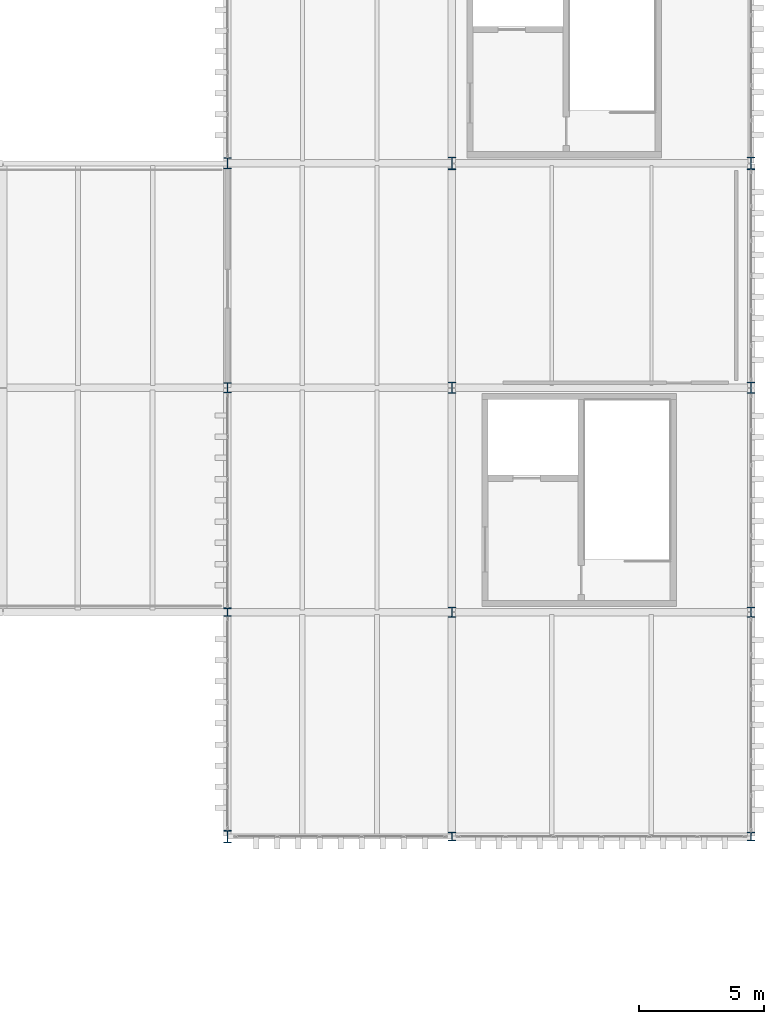
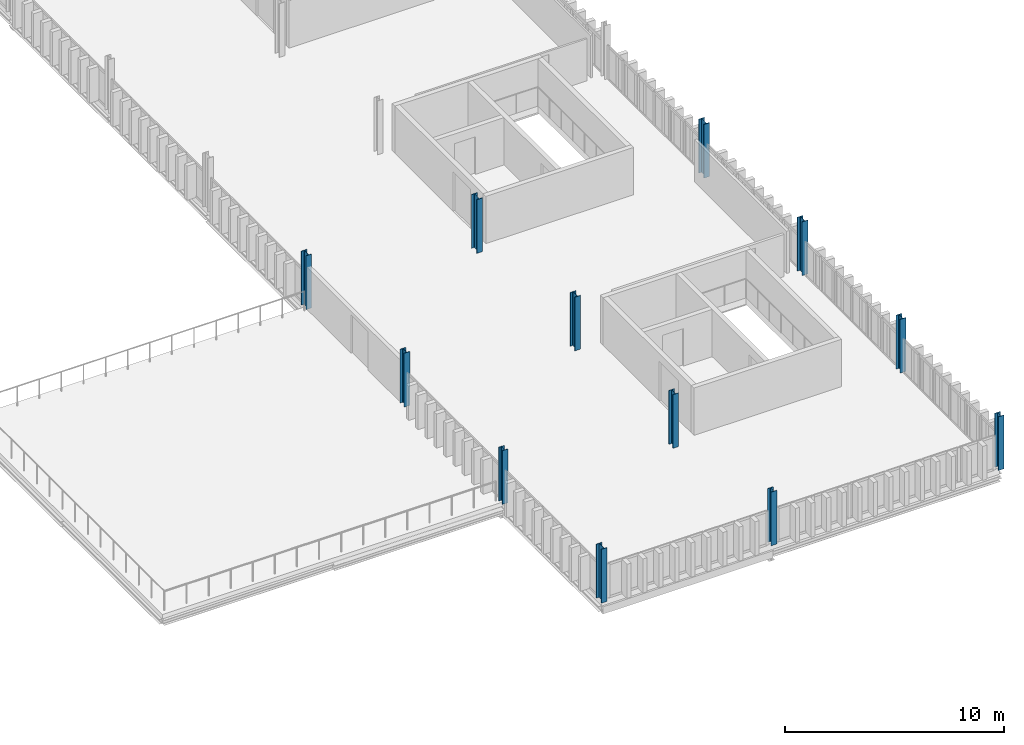
# One storey, part 5 of 58: 12 columns.
"""IFC4 building model written with IfcOpenShell, lengths in metres."""

import ifcopenshell
import ifcopenshell.guid

model = None  # the IFC model being written
_history = None  # IfcOwnerHistory: only IFC2X3 demands one
_inside = {}  # id of a spatial element -> (the spatial element, [elements in it])
_under = {}  # id of a project, library or spatial element -> (it, [spatial elements below it])
_declared = {}  # id of a project -> (the project, [libraries it declares])
_typed = {}  # id of a type object -> (the type object, [elements of that type])
_made_of = {}  # id of a material, layer set ... -> (it, [elements and type objects made of it])


def new_model(schema):
    """Start an empty IFC model of exactly this schema.

    Asked for "IFC4X3", IfcOpenShell would pick the latest addendum, in which some entities
    have other attributes; the version numbers below select the first issue.
    IFC2X3 requires an IfcOwnerHistory on every rooted entity: one is made here for all.
    """
    global model, _history
    if schema == "IFC4X3":
        model = ifcopenshell.file(schema_version=(4, 3, 0, 0))
    else:
        model = ifcopenshell.file(schema=schema)
    _inside.clear()
    _under.clear()
    _declared.clear()
    _typed.clear()
    _made_of.clear()
    _history = None
    if model.schema == "IFC2X3":
        org = make("IfcOrganization", Name="unknown")
        user = make(
            "IfcPersonAndOrganization",
            ThePerson=make("IfcPerson", FamilyName="unknown"),
            TheOrganization=org,
        )
        app = make(
            "IfcApplication",
            ApplicationDeveloper=org,
            Version="unknown",
            ApplicationFullName="unknown",
            ApplicationIdentifier="unknown",
        )
        _history = make(
            "IfcOwnerHistory",
            OwningUser=user,
            OwningApplication=app,
            ChangeAction="ADDED",
            CreationDate=0,
        )
    return model


def make(cls, **values):
    """One entity of the class cls with the attributes given. An attribute that is None is left unset."""
    return model.create_entity(
        cls, **{name: value for name, value in values.items() if value is not None}
    )


def rooted(cls, **values):
    """An entity with a GlobalId (a new one), such as an element, a storey or a relation."""
    return make(cls, GlobalId=ifcopenshell.guid.new(), OwnerHistory=_history, **values)


def si_unit(unit_type, name, prefix=None):
    """IfcSIUnit, for example si_unit("LENGTHUNIT", "METRE", prefix="MILLI")."""
    return make("IfcSIUnit", UnitType=unit_type, Prefix=prefix, Name=name)


def assignment(units):
    """IfcUnitAssignment: the units of a project."""
    return None if units is None else make("IfcUnitAssignment", Units=units)


def point(xyz):
    """IfcCartesianPoint."""
    return None if xyz is None else make("IfcCartesianPoint", Coordinates=xyz)


def direction(xyz):
    """IfcDirection."""
    return None if xyz is None else make("IfcDirection", DirectionRatios=xyz)


def frame(location, z_axis=None, x_axis=None):
    """IfcAxis2Placement3D, a coordinate frame: its origin and axes. An axis left out is left unset."""
    return make(
        "IfcAxis2Placement3D",
        Location=point(location),
        Axis=direction(z_axis),
        RefDirection=direction(x_axis),
    )


def frame_2d(location, x_axis=None):
    """IfcAxis2Placement2D, a coordinate frame in the plane: its origin and x axis."""
    return make(
        "IfcAxis2Placement2D", Location=point(location), RefDirection=direction(x_axis)
    )


def origin():
    """The frame at (0, 0, 0) with its axes left unset."""
    return frame((0.0, 0.0, 0.0))


def origin_2d():
    """The frame at (0, 0) in the plane with its x axis left unset."""
    return frame_2d((0.0, 0.0))


def place(relative_to, where):
    """IfcLocalPlacement: puts the frame where relative to a parent placement (None: the world)."""
    return make(
        "IfcLocalPlacement", PlacementRelTo=relative_to, RelativePlacement=where
    )


def context(
    kind, dimensions, precision=None, world=None, true_north=None, identifier=None
):
    """IfcGeometricRepresentationContext, for example the 3D "Model" context."""
    return make(
        "IfcGeometricRepresentationContext",
        ContextIdentifier=identifier,
        ContextType=kind,
        CoordinateSpaceDimension=dimensions,
        Precision=precision,
        WorldCoordinateSystem=world,
        TrueNorth=true_north,
    )


def subcontext(parent, identifier, kind, view, scale=None):
    """IfcGeometricRepresentationSubContext, for example "Body" below "Model"."""
    return make(
        "IfcGeometricRepresentationSubContext",
        ContextIdentifier=identifier,
        ContextType=kind,
        ParentContext=parent,
        TargetScale=scale,
        TargetView=view,
    )


def project(units=None, contexts=None):
    """IfcProject with its units and contexts."""
    return rooted(
        "IfcProject",
        Name="project",
        RepresentationContexts=contexts,
        UnitsInContext=assignment(units),
    )


def spatial(cls, under=None, at=None, **own):
    """A site, building, storey or space (cls), placed at a placement, below another one or the project."""
    s = rooted(cls, ObjectPlacement=at, **own)
    if under is not None:
        _under.setdefault(under.id(), (under, []))[1].append(s)
    return s


def profile(cls, at=None, kind="AREA", **sizes):
    """A parametric profile (cls). Its sizes go by their IFC names, for example OverallWidth=200.0."""
    return make(cls, ProfileType=kind, Position=at, **sizes)


def i_section(**sizes):
    """IfcIShapeProfileDef."""
    return profile("IfcIShapeProfileDef", **sizes)


def extrude(swept, where, along, depth):
    """IfcExtrudedAreaSolid: the profile swept, set in the frame where, extruded along a direction by depth."""
    return make(
        "IfcExtrudedAreaSolid",
        SweptArea=swept,
        Position=where,
        ExtrudedDirection=direction(along),
        Depth=depth,
    )


def shape(context_of_items, identifier, shape_type, items):
    """IfcShapeRepresentation: the items that make up one representation, for example the "Body"."""
    return make(
        "IfcShapeRepresentation",
        ContextOfItems=context_of_items,
        RepresentationIdentifier=identifier,
        RepresentationType=shape_type,
        Items=items,
    )


def material(Name=None, Category=None):
    """IfcMaterial."""
    return make("IfcMaterial", Name=Name, Category=Category)


def material_profile(
    of_material, cross_section, Name=None, Category=None, Priority=None
):
    """IfcMaterialProfile: a cross section and its material."""
    return make(
        "IfcMaterialProfile",
        Name=Name,
        Material=of_material,
        Profile=cross_section,
        Priority=Priority,
        Category=Category,
    )


def profile_set(profiles, Name=None, composite=None):
    """IfcMaterialProfileSet."""
    return make(
        "IfcMaterialProfileSet",
        Name=Name,
        MaterialProfiles=profiles,
        CompositeProfile=composite,
    )


def made_of(thing, what):
    """Note that an element or type object is made of a material, layer set ...; save() writes the relation."""
    if what is not None:
        _made_of.setdefault(what.id(), (what, []))[1].append(thing)
    return thing


def type_object(cls, material=None, **own):
    """A type object (cls), such as IfcWallType, which elements share."""
    return made_of(rooted(cls, **own), material)


def element(
    cls,
    number,
    at=None,
    inside=None,
    cuts=None,
    type_object=None,
    material=None,
    context=None,
    identifier="Body",
    shape_type=None,
    held_by="IfcProductDefinitionShape",
    body=None,
    shapes=None,
    **own,
):
    """One element of the class cls, such as IfcWall. Its Tag is "e" and its number.

    at: its placement. inside: the storey or other place that contains it. cuts: it is an
    opening in that element (IfcRelVoidsElement). A single representation is given by context,
    identifier, shape_type and body (its items); several are given by shapes. held_by: the class
    of the entity that holds the representations. save() writes the other relations.
    """
    e = rooted(cls, Tag="e%d" % number, ObjectPlacement=at, **own)
    if body is not None:
        shapes = [shape(context, identifier, shape_type, body)]
    if shapes is not None:
        e.Representation = make(held_by, Representations=shapes)
    if inside is not None:
        _inside.setdefault(inside.id(), (inside, []))[1].append(e)
    if cuts is not None:
        rooted(
            "IfcRelVoidsElement", RelatingBuildingElement=cuts, RelatedOpeningElement=e
        )
    if type_object is not None:
        _typed.setdefault(type_object.id(), (type_object, []))[1].append(e)
    return made_of(e, material)


def aggregate(whole, parts):
    """IfcRelAggregates: a whole, such as a stair, and the parts it consists of."""
    return rooted("IfcRelAggregates", RelatingObject=whole, RelatedObjects=parts)


def save(model, path):
    """Write the relations noted so far, then the file.

    IfcRelAggregates (storeys below a building ...), IfcRelContainedInSpatialStructure (elements
    in a storey), IfcRelDefinesByType, IfcRelAssociatesMaterial and IfcRelDeclares: one each for
    every whole, place, type object, material and project.
    """
    for whole, parts in _under.values():
        aggregate(whole, parts)
    for where, things in _inside.values():
        rooted(
            "IfcRelContainedInSpatialStructure",
            RelatedElements=things,
            RelatingStructure=where,
        )
    for kind, things in _typed.values():
        rooted("IfcRelDefinesByType", RelatedObjects=things, RelatingType=kind)
    for what, things in _made_of.values():
        rooted("IfcRelAssociatesMaterial", RelatedObjects=things, RelatingMaterial=what)
    for by, libraries in _declared.values():
        rooted("IfcRelDeclares", RelatingContext=by, RelatedDefinitions=libraries)
    model.write(path)


model = new_model("IFC4")

# Units and contexts
model_context = context("Model", 3, precision=1e-05, world=origin(), true_north=direction((0.0, 1.0)))
body_context = subcontext(model_context, "Body", "Model", "MODEL_VIEW")
ifc_project = project(units=[si_unit("LENGTHUNIT", "METRE"), si_unit("AREAUNIT", "SQUARE_METRE"), si_unit("VOLUMEUNIT", "CUBIC_METRE"), si_unit("PLANEANGLEUNIT", "RADIAN"), si_unit("MASSUNIT", "GRAM", prefix="KILO")], contexts=[model_context])

# Site, building, storey
site_placement = place(None, origin())
site = spatial("IfcSite", under=ifc_project, at=site_placement, CompositionType="ELEMENT")
building_placement = place(site_placement, origin())
building = spatial("IfcBuilding", under=site, at=building_placement, Name="Barlavento Convention Centre", CompositionType="ELEMENT")
storey_placement = place(building_placement, frame((0.0, 0.0, 26.800048828125)))
storey = spatial("IfcBuildingStorey", under=building, at=storey_placement, Name="L05", CompositionType="ELEMENT", Elevation=26.800048828125)

# Columns
ifc_material = material(Name="Steel S355", Category="steel")
ifc_material_profile_1 = material_profile(ifc_material, i_section(OverallWidth=0.300048828125, OverallDepth=0.340087890625, WebThickness=0.011962890625, FlangeThickness=0.021484375, FilletRadius=0.027099609375, at=origin_2d()), Name="HEB 340")
ifc_profile_set_1 = profile_set([ifc_material_profile_1], Name="Steel S355")
column_type_1 = type_object("IfcColumnType", Name="STR-COL-HEB340", PredefinedType="COLUMN", material=ifc_profile_set_1)
for number, where, z_axis, x_axis, name in (
    (1, (171.0, 36.0, 0.0), (0.0, 0.0, 1.0), (1.0, 0.0, 0.0), "L05 column SC12"),
    (2, (180.0, 27.0, 0.0), (0.0, 0.0, 1.0), (1.0, 0.0, 0.0), "L05 column SC12"),
    (3, (192.0, 27.0, 0.0), (0.0, 0.0, 1.0), (1.0, 0.0, 0.0), "L05 column SC12"),
):
    element("IfcColumn", number, at=place(storey_placement, frame(where, z_axis=z_axis, x_axis=x_axis)), inside=storey, type_object=column_type_1, Name=name, PredefinedType="COLUMN", context=body_context, shape_type="SweptSolid", body=[
        extrude(i_section(OverallWidth=0.300048828125, OverallDepth=0.340087890625, WebThickness=0.011962890625, FlangeThickness=0.021484375, FilletRadius=0.027099609375, at=origin_2d()), origin(), (0.0, 0.0, 1.0), 3.0),
    ])
ifc_material_profile_2 = material_profile(ifc_material, i_section(OverallWidth=0.300048828125, OverallDepth=0.39990234375, WebThickness=0.013427734375, FlangeThickness=0.02392578125, FilletRadius=0.027099609375, at=origin_2d()), Name="HEB 400")
ifc_profile_set_2 = profile_set([ifc_material_profile_2], Name="Steel S355")
column_type_2 = type_object("IfcColumnType", Name="STR-COL-HEB400", PredefinedType="COLUMN", material=ifc_profile_set_2)
for number, where, z_axis, x_axis, name in (
    (4, (171.0, 45.0, 0.0), (0.0, 0.0, 1.0), (1.0, 0.0, 0.0), "L05 column SC11"),
    (5, (180.0, 36.0, 0.0), (0.0, 0.0, 1.0), (1.0, 0.0, 0.0), "L05 column SC11"),
    (6, (192.0, 36.0, 0.0), (0.0, 0.0, 1.0), (1.0, 0.0, 0.0), "L05 column SC11"),
):
    element("IfcColumn", number, at=place(storey_placement, frame(where, z_axis=z_axis, x_axis=x_axis)), inside=storey, type_object=column_type_2, Name=name, PredefinedType="COLUMN", context=body_context, shape_type="SweptSolid", body=[
        extrude(i_section(OverallWidth=0.300048828125, OverallDepth=0.39990234375, WebThickness=0.013427734375, FlangeThickness=0.02392578125, FilletRadius=0.027099609375, at=origin_2d()), origin(), (0.0, 0.0, 1.0), 3.0),
    ])
ifc_material_profile_3 = material_profile(ifc_material, i_section(OverallWidth=0.300048828125, OverallDepth=0.449951171875, WebThickness=0.013916015625, FlangeThickness=0.02587890625, FilletRadius=0.027099609375, at=origin_2d()), Name="HEB 450")
ifc_profile_set_3 = profile_set([ifc_material_profile_3], Name="Steel S355")
column_type_3 = type_object("IfcColumnType", Name="STR-COL-HEB450", PredefinedType="COLUMN", material=ifc_profile_set_3)
for number, where, z_axis, x_axis, name in (
    (7, (171.0, 54.0, 0.0), (0.0, 0.0, 1.0), (1.0, 0.0, 0.0), "L05 column SC10"),
    (8, (180.0, 45.0, 0.0), (0.0, 0.0, 1.0), (1.0, 0.0, 0.0), "L05 column SC10"),
    (9, (192.0, 45.0, 0.0), (0.0, 0.0, 1.0), (1.0, 0.0, 0.0), "L05 column SC10"),
):
    element("IfcColumn", number, at=place(storey_placement, frame(where, z_axis=z_axis, x_axis=x_axis)), inside=storey, type_object=column_type_3, Name=name, PredefinedType="COLUMN", context=body_context, shape_type="SweptSolid", body=[
        extrude(i_section(OverallWidth=0.300048828125, OverallDepth=0.449951171875, WebThickness=0.013916015625, FlangeThickness=0.02587890625, FilletRadius=0.027099609375, at=origin_2d()), origin(), (0.0, 0.0, 1.0), 3.0),
    ])
ifc_material_profile_4 = material_profile(ifc_material, i_section(OverallWidth=0.300048828125, OverallDepth=0.5, WebThickness=0.014404296875, FlangeThickness=0.028076171875, FilletRadius=0.027099609375, at=origin_2d()), Name="HEB 500")
ifc_profile_set_4 = profile_set([ifc_material_profile_4], Name="Steel S355")
column_type_4 = type_object("IfcColumnType", Name="STR-COL-HEB500", PredefinedType="COLUMN", material=ifc_profile_set_4)
for number, where, z_axis, x_axis, name in (
    (10, (171.0, 27.0, 0.0), (0.0, 0.0, 1.0), (1.0, 0.0, 0.0), "L05 column SC09"),
    (11, (180.0, 54.0, 0.0), (0.0, 0.0, 1.0), (1.0, 0.0, 0.0), "L05 column SC09"),
    (12, (192.0, 54.0, 0.0), (0.0, 0.0, 1.0), (1.0, 0.0, 0.0), "L05 column SC09"),
):
    element("IfcColumn", number, at=place(storey_placement, frame(where, z_axis=z_axis, x_axis=x_axis)), inside=storey, type_object=column_type_4, Name=name, PredefinedType="COLUMN", context=body_context, shape_type="SweptSolid", body=[
        extrude(i_section(OverallWidth=0.300048828125, OverallDepth=0.5, WebThickness=0.014404296875, FlangeThickness=0.028076171875, FilletRadius=0.027099609375, at=origin_2d()), origin(), (0.0, 0.0, 1.0), 3.0),
    ])

save(model, "model.ifc")
